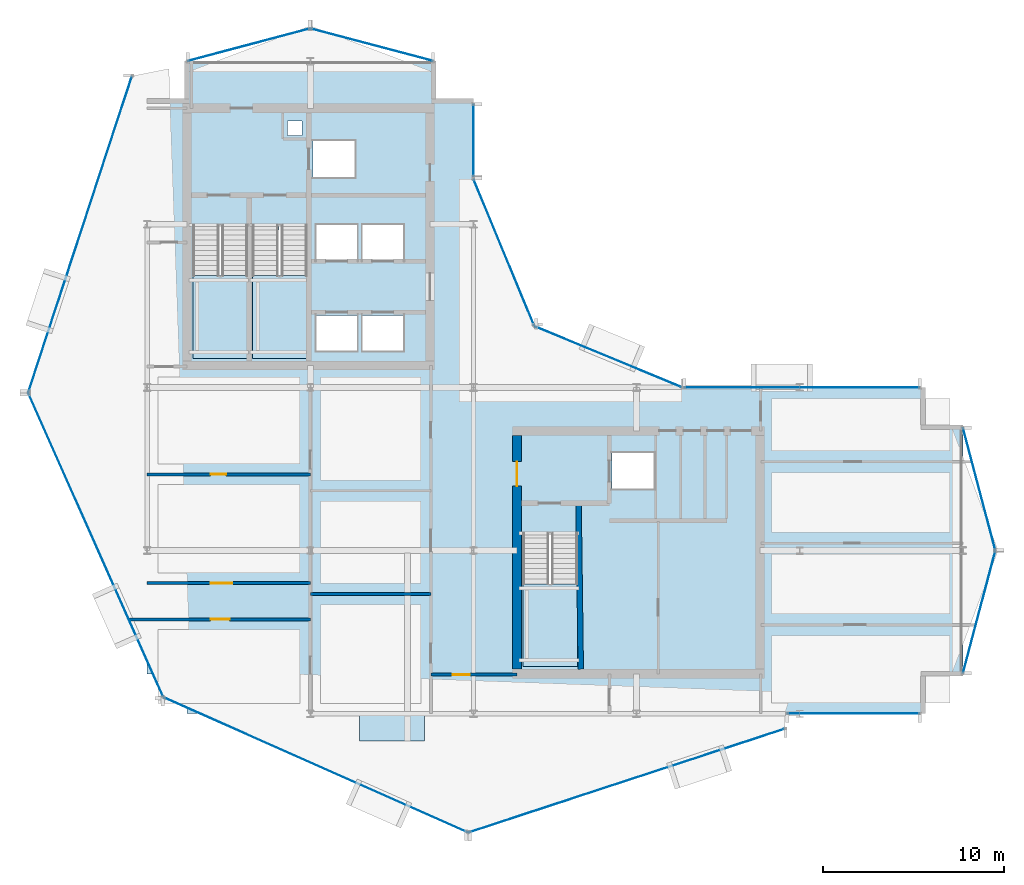
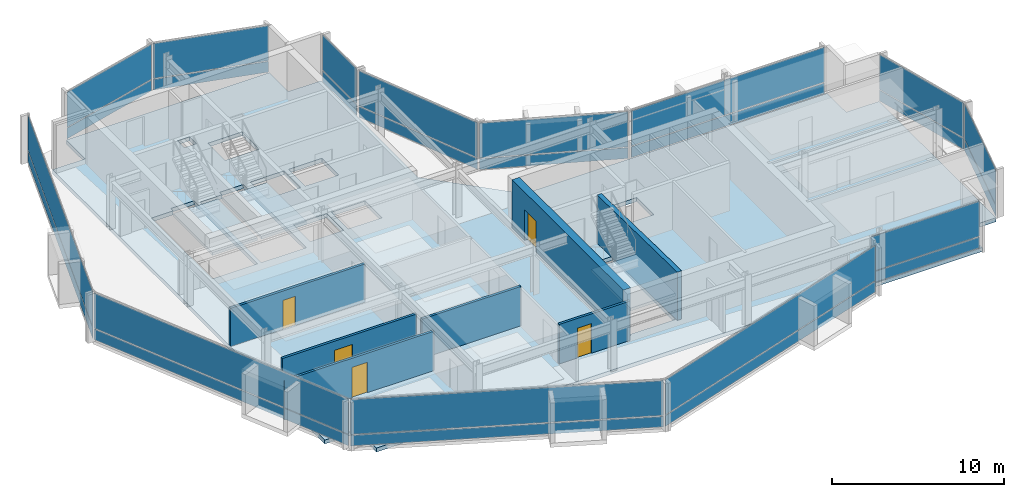
# One storey, part 19 of 28: 26 plates, 7 walls, 5 doors, 5 slabs, 5 openings, 16 elements without a shape of their own.
"""IFC4 building model written with IfcOpenShell, lengths in metres."""

import ifcopenshell
import ifcopenshell.guid

model = None  # the IFC model being written
_history = None  # IfcOwnerHistory: only IFC2X3 demands one
_inside = {}  # id of a spatial element -> (the spatial element, [elements in it])
_under = {}  # id of a project, library or spatial element -> (it, [spatial elements below it])
_declared = {}  # id of a project -> (the project, [libraries it declares])
_typed = {}  # id of a type object -> (the type object, [elements of that type])
_made_of = {}  # id of a material, layer set ... -> (it, [elements and type objects made of it])


def new_model(schema):
    """Start an empty IFC model of exactly this schema.

    Asked for "IFC4X3", IfcOpenShell would pick the latest addendum, in which some entities
    have other attributes; the version numbers below select the first issue.
    IFC2X3 requires an IfcOwnerHistory on every rooted entity: one is made here for all.
    """
    global model, _history
    if schema == "IFC4X3":
        model = ifcopenshell.file(schema_version=(4, 3, 0, 0))
    else:
        model = ifcopenshell.file(schema=schema)
    _inside.clear()
    _under.clear()
    _declared.clear()
    _typed.clear()
    _made_of.clear()
    _history = None
    if model.schema == "IFC2X3":
        org = make("IfcOrganization", Name="unknown")
        user = make(
            "IfcPersonAndOrganization",
            ThePerson=make("IfcPerson", FamilyName="unknown"),
            TheOrganization=org,
        )
        app = make(
            "IfcApplication",
            ApplicationDeveloper=org,
            Version="unknown",
            ApplicationFullName="unknown",
            ApplicationIdentifier="unknown",
        )
        _history = make(
            "IfcOwnerHistory",
            OwningUser=user,
            OwningApplication=app,
            ChangeAction="ADDED",
            CreationDate=0,
        )
    return model


def make(cls, **values):
    """One entity of the class cls with the attributes given. An attribute that is None is left unset."""
    return model.create_entity(
        cls, **{name: value for name, value in values.items() if value is not None}
    )


def rooted(cls, **values):
    """An entity with a GlobalId (a new one), such as an element, a storey or a relation."""
    return make(cls, GlobalId=ifcopenshell.guid.new(), OwnerHistory=_history, **values)


def si_unit(unit_type, name, prefix=None):
    """IfcSIUnit, for example si_unit("LENGTHUNIT", "METRE", prefix="MILLI")."""
    return make("IfcSIUnit", UnitType=unit_type, Prefix=prefix, Name=name)


def assignment(units):
    """IfcUnitAssignment: the units of a project."""
    return None if units is None else make("IfcUnitAssignment", Units=units)


def point(xyz):
    """IfcCartesianPoint."""
    return None if xyz is None else make("IfcCartesianPoint", Coordinates=xyz)


def direction(xyz):
    """IfcDirection."""
    return None if xyz is None else make("IfcDirection", DirectionRatios=xyz)


def frame(location, z_axis=None, x_axis=None):
    """IfcAxis2Placement3D, a coordinate frame: its origin and axes. An axis left out is left unset."""
    return make(
        "IfcAxis2Placement3D",
        Location=point(location),
        Axis=direction(z_axis),
        RefDirection=direction(x_axis),
    )


def frame_2d(location, x_axis=None):
    """IfcAxis2Placement2D, a coordinate frame in the plane: its origin and x axis."""
    return make(
        "IfcAxis2Placement2D", Location=point(location), RefDirection=direction(x_axis)
    )


def origin():
    """The frame at (0, 0, 0) with its axes left unset."""
    return frame((0.0, 0.0, 0.0))


def origin_2d():
    """The frame at (0, 0) in the plane with its x axis left unset."""
    return frame_2d((0.0, 0.0))


def place(relative_to, where):
    """IfcLocalPlacement: puts the frame where relative to a parent placement (None: the world)."""
    return make(
        "IfcLocalPlacement", PlacementRelTo=relative_to, RelativePlacement=where
    )


def context(
    kind, dimensions, precision=None, world=None, true_north=None, identifier=None
):
    """IfcGeometricRepresentationContext, for example the 3D "Model" context."""
    return make(
        "IfcGeometricRepresentationContext",
        ContextIdentifier=identifier,
        ContextType=kind,
        CoordinateSpaceDimension=dimensions,
        Precision=precision,
        WorldCoordinateSystem=world,
        TrueNorth=true_north,
    )


def subcontext(parent, identifier, kind, view, scale=None):
    """IfcGeometricRepresentationSubContext, for example "Body" below "Model"."""
    return make(
        "IfcGeometricRepresentationSubContext",
        ContextIdentifier=identifier,
        ContextType=kind,
        ParentContext=parent,
        TargetScale=scale,
        TargetView=view,
    )


def project(units=None, contexts=None):
    """IfcProject with its units and contexts."""
    return rooted(
        "IfcProject",
        Name="project",
        RepresentationContexts=contexts,
        UnitsInContext=assignment(units),
    )


def spatial(cls, under=None, at=None, **own):
    """A site, building, storey or space (cls), placed at a placement, below another one or the project."""
    s = rooted(cls, ObjectPlacement=at, **own)
    if under is not None:
        _under.setdefault(under.id(), (under, []))[1].append(s)
    return s


def polyline(points):
    """IfcPolyline through the points."""
    return make("IfcPolyline", Points=[point(p) for p in points])


def profile(cls, at=None, kind="AREA", **sizes):
    """A parametric profile (cls). Its sizes go by their IFC names, for example OverallWidth=200.0."""
    return make(cls, ProfileType=kind, Position=at, **sizes)


def rectangle(**sizes):
    """IfcRectangleProfileDef."""
    return profile("IfcRectangleProfileDef", **sizes)


def outline(outer, holes=None, kind="AREA"):
    """IfcArbitraryClosedProfileDef: a profile drawn as a closed curve; with holes, ...WithVoids."""
    if holes is None:
        return make("IfcArbitraryClosedProfileDef", ProfileType=kind, OuterCurve=outer)
    return make(
        "IfcArbitraryProfileDefWithVoids",
        ProfileType=kind,
        OuterCurve=outer,
        InnerCurves=holes,
    )


def extrude(swept, where, along, depth):
    """IfcExtrudedAreaSolid: the profile swept, set in the frame where, extruded along a direction by depth."""
    return make(
        "IfcExtrudedAreaSolid",
        SweptArea=swept,
        Position=where,
        ExtrudedDirection=direction(along),
        Depth=depth,
    )


def shape(context_of_items, identifier, shape_type, items):
    """IfcShapeRepresentation: the items that make up one representation, for example the "Body"."""
    return make(
        "IfcShapeRepresentation",
        ContextOfItems=context_of_items,
        RepresentationIdentifier=identifier,
        RepresentationType=shape_type,
        Items=items,
    )


def material(Name=None, Category=None):
    """IfcMaterial."""
    return make("IfcMaterial", Name=Name, Category=Category)


def layer(
    of_material, thickness, ventilated=None, Name=None, Category=None, Priority=None
):
    """IfcMaterialLayer: one layer of a wall or slab, of a material (None: an air gap)."""
    return make(
        "IfcMaterialLayer",
        Material=of_material,
        LayerThickness=thickness,
        IsVentilated=ventilated,
        Name=Name,
        Category=Category,
        Priority=Priority,
    )


def layer_set(layers, Name=None):
    """IfcMaterialLayerSet."""
    return make("IfcMaterialLayerSet", MaterialLayers=layers, LayerSetName=Name)


def made_of(thing, what):
    """Note that an element or type object is made of a material, layer set ...; save() writes the relation."""
    if what is not None:
        _made_of.setdefault(what.id(), (what, []))[1].append(thing)
    return thing


def type_object(cls, material=None, **own):
    """A type object (cls), such as IfcWallType, which elements share."""
    return made_of(rooted(cls, **own), material)


def element(
    cls,
    number,
    at=None,
    inside=None,
    cuts=None,
    type_object=None,
    material=None,
    context=None,
    identifier="Body",
    shape_type=None,
    held_by="IfcProductDefinitionShape",
    body=None,
    shapes=None,
    **own,
):
    """One element of the class cls, such as IfcWall. Its Tag is "e" and its number.

    at: its placement. inside: the storey or other place that contains it. cuts: it is an
    opening in that element (IfcRelVoidsElement). A single representation is given by context,
    identifier, shape_type and body (its items); several are given by shapes. held_by: the class
    of the entity that holds the representations. save() writes the other relations.
    """
    e = rooted(cls, Tag="e%d" % number, ObjectPlacement=at, **own)
    if body is not None:
        shapes = [shape(context, identifier, shape_type, body)]
    if shapes is not None:
        e.Representation = make(held_by, Representations=shapes)
    if inside is not None:
        _inside.setdefault(inside.id(), (inside, []))[1].append(e)
    if cuts is not None:
        rooted(
            "IfcRelVoidsElement", RelatingBuildingElement=cuts, RelatedOpeningElement=e
        )
    if type_object is not None:
        _typed.setdefault(type_object.id(), (type_object, []))[1].append(e)
    return made_of(e, material)


def fill(opening, filler):
    """IfcRelFillsElement: the door or window that sits in an opening."""
    return rooted(
        "IfcRelFillsElement",
        RelatingOpeningElement=opening,
        RelatedBuildingElement=filler,
    )


def aggregate(whole, parts):
    """IfcRelAggregates: a whole, such as a stair, and the parts it consists of."""
    return rooted("IfcRelAggregates", RelatingObject=whole, RelatedObjects=parts)


def save(model, path):
    """Write the relations noted so far, then the file.

    IfcRelAggregates (storeys below a building ...), IfcRelContainedInSpatialStructure (elements
    in a storey), IfcRelDefinesByType, IfcRelAssociatesMaterial and IfcRelDeclares: one each for
    every whole, place, type object, material and project.
    """
    for whole, parts in _under.values():
        aggregate(whole, parts)
    for where, things in _inside.values():
        rooted(
            "IfcRelContainedInSpatialStructure",
            RelatedElements=things,
            RelatingStructure=where,
        )
    for kind, things in _typed.values():
        rooted("IfcRelDefinesByType", RelatedObjects=things, RelatingType=kind)
    for what, things in _made_of.values():
        rooted("IfcRelAssociatesMaterial", RelatedObjects=things, RelatingMaterial=what)
    for by, libraries in _declared.values():
        rooted("IfcRelDeclares", RelatingContext=by, RelatedDefinitions=libraries)
    model.write(path)


model = new_model("IFC4")

# Units and contexts
model_context = context("Model", 3, precision=1e-05, world=origin(), true_north=direction((0.0, 1.0)))
body_context = subcontext(model_context, "Body", "Model", "MODEL_VIEW")
ifc_project = project(units=[si_unit("LENGTHUNIT", "METRE"), si_unit("AREAUNIT", "SQUARE_METRE"), si_unit("VOLUMEUNIT", "CUBIC_METRE"), si_unit("PLANEANGLEUNIT", "RADIAN"), si_unit("MASSUNIT", "GRAM", prefix="KILO")], contexts=[model_context])

# Site, building, storey
site_placement = place(None, origin())
site = spatial("IfcSite", under=ifc_project, at=site_placement, CompositionType="ELEMENT")
building_placement = place(site_placement, origin())
building = spatial("IfcBuilding", under=site, at=building_placement, Name="Solvaryn Broadcast Tower", CompositionType="ELEMENT")
storey_placement = place(building_placement, frame((0.0, 0.0, 209.89990234375)))
storey = spatial("IfcBuildingStorey", under=building, at=storey_placement, Name="L52", CompositionType="ELEMENT", Elevation=209.89990234375)

# Curtain wall, plates
ifc_material_1 = material(Name="Aluminium and Terracotta Unitised Curtain Wall", Category="masonry")
ifc_layer_1 = layer(ifc_material_1, 0.199951171875)
ifc_layer_set_1 = layer_set([ifc_layer_1], Name="CW-SYS2-LOWMID")
curtain_wall_type_1 = type_object("IfcCurtainWallType", Name="CW-SYS2-LOWMID", PredefinedType="NOTDEFINED", material=ifc_layer_set_1)
curtain_wall_1_placement = place(storey_placement, origin())
curtain_wall_1 = element("IfcCurtainWall", 1, at=curtain_wall_1_placement, inside=storey, type_object=curtain_wall_type_1, Name="L52 Curtain Wall DR1", PredefinedType="NOTDEFINED")
ifc_material_2 = material(Name="Kiln-Fired Architectural Terracotta Spandrel", Category="masonry")
ifc_layer_2 = layer(ifc_material_2, 0.048095703125)
ifc_layer_set_2 = layer_set([ifc_layer_2], Name="CW-PNL-TERRACOTTA")
plate_type = type_object("IfcPlateType", Name="CW-PNL-TERRACOTTA", PredefinedType="CURTAIN_PANEL", material=ifc_layer_set_2)
plate_1_placement = place(storey_placement, frame((5.298095703125, 35.444091796875, 0.06005859375), z_axis=(0.0, 0.0, 1.0), x_axis=(-0.311558717623, -0.950226902099, 0.0)))
plate_1 = element("IfcPlate", 2, at=plate_1_placement, type_object=plate_type, Name="CWS2 panel 1.1", PredefinedType="CURTAIN_PANEL", context=body_context, shape_type="SweptSolid", body=[
    extrude(rectangle(XDim=18.271484375, YDim=0.028076171875, at=origin_2d()), origin(), (0.0, 0.0, 1.0), 0.760009765625),
])
plate_2_placement = place(storey_placement, frame((5.298095703125, 35.444091796875, 0.880126953125), z_axis=(0.0, 0.0, 1.0), x_axis=(-0.311558717623, -0.950226902099, 0.0)))
plate_2 = element("IfcPlate", 3, at=plate_2_placement, type_object=plate_type, Name="CWS2 panel 1.2", PredefinedType="CURTAIN_PANEL", context=body_context, shape_type="SweptSolid", body=[
    extrude(rectangle(XDim=18.271484375, YDim=0.028076171875, at=origin_2d()), origin(), (0.0, 0.0, 1.0), 2.47998046875),
])
aggregate(curtain_wall_1, [plate_1, plate_2])

ifc_material_3 = material(Name="Aluminium and Terracotta Unitised Curtain Wall", Category="masonry")
ifc_layer_3 = layer(ifc_material_3, 0.239990234375)
ifc_layer_set_3 = layer_set([ifc_layer_3], Name="CW-SYS3-BAYBOX")
curtain_wall_type_2 = type_object("IfcCurtainWallType", Name="CW-SYS3-BAYBOX", PredefinedType="NOTDEFINED", material=ifc_layer_set_3)
curtain_wall_2_placement = place(storey_placement, origin())
curtain_wall_2 = element("IfcCurtainWall", 4, at=curtain_wall_2_placement, inside=storey, type_object=curtain_wall_type_2, Name="L52 Curtain Wall DR2", PredefinedType="NOTDEFINED")
plate_3_placement = place(storey_placement, frame((6.16552734375, 18.302001953125, 0.06005859375), z_axis=(0.0, 0.0, 1.0), x_axis=(0.405901337237, -0.913916902365, 0.0)))
plate_3 = element("IfcPlate", 5, at=plate_3_placement, type_object=plate_type, Name="CWS3 panel 1.1", PredefinedType="CURTAIN_PANEL", context=body_context, shape_type="SweptSolid", body=[
    extrude(rectangle(XDim=18.271240234375, YDim=0.028076171875, at=origin_2d()), origin(), (0.0, 0.0, 1.0), 0.760009765625),
])
plate_4_placement = place(storey_placement, frame((6.16552734375, 18.302001953125, 0.880126953125), z_axis=(0.0, 0.0, 1.0), x_axis=(0.405901337237, -0.913916902365, 0.0)))
plate_4 = element("IfcPlate", 6, at=plate_4_placement, type_object=plate_type, Name="CWS3 panel 1.2", PredefinedType="CURTAIN_PANEL", context=body_context, shape_type="SweptSolid", body=[
    extrude(rectangle(XDim=18.271240234375, YDim=0.028076171875, at=origin_2d()), origin(), (0.0, 0.0, 1.0), 2.47998046875),
])
aggregate(curtain_wall_2, [plate_3, plate_4])

curtain_wall_3_placement = place(storey_placement, origin())
curtain_wall_3 = element("IfcCurtainWall", 7, at=curtain_wall_3_placement, inside=storey, type_object=curtain_wall_type_1, Name="L52 Curtain Wall DR3", PredefinedType="NOTDEFINED")
plate_5_placement = place(storey_placement, frame((18.302001953125, 6.16552734375, 0.06005859375), z_axis=(0.0, 0.0, 1.0), x_axis=(0.913916902365, -0.405901337237, 0.0)))
plate_5 = element("IfcPlate", 8, at=plate_5_placement, type_object=plate_type, Name="CWS2 panel 1.1", PredefinedType="CURTAIN_PANEL", context=body_context, shape_type="SweptSolid", body=[
    extrude(rectangle(XDim=18.271240234375, YDim=0.028076171875, at=origin_2d()), origin(), (0.0, 0.0, 1.0), 0.760009765625),
])
plate_6_placement = place(storey_placement, frame((18.302001953125, 6.16552734375, 0.880126953125), z_axis=(0.0, 0.0, 1.0), x_axis=(0.913916902365, -0.405901337237, 0.0)))
plate_6 = element("IfcPlate", 9, at=plate_6_placement, type_object=plate_type, Name="CWS2 panel 1.2", PredefinedType="CURTAIN_PANEL", context=body_context, shape_type="SweptSolid", body=[
    extrude(rectangle(XDim=18.271240234375, YDim=0.028076171875, at=origin_2d()), origin(), (0.0, 0.0, 1.0), 2.47998046875),
])
aggregate(curtain_wall_3, [plate_5, plate_6])

curtain_wall_4_placement = place(storey_placement, origin())
curtain_wall_4 = element("IfcCurtainWall", 10, at=curtain_wall_4_placement, inside=storey, type_object=curtain_wall_type_1, Name="L52 Curtain Wall DR4", PredefinedType="NOTDEFINED")
plate_7_placement = place(storey_placement, frame((35.444091796875, 5.298095703125, 0.06005859375), z_axis=(0.0, 0.0, 1.0), x_axis=(0.950226902099, 0.311558717623, 0.0)))
plate_7 = element("IfcPlate", 11, at=plate_7_placement, type_object=plate_type, Name="CWS2 panel 1.1", PredefinedType="CURTAIN_PANEL", context=body_context, shape_type="SweptSolid", body=[
    extrude(rectangle(XDim=18.271484375, YDim=0.028076171875, at=origin_2d()), origin(), (0.0, 0.0, 1.0), 0.760009765625),
])
plate_8_placement = place(storey_placement, frame((35.444091796875, 5.298095703125, 0.880126953125), z_axis=(0.0, 0.0, 1.0), x_axis=(0.950226902099, 0.311558717623, 0.0)))
plate_8 = element("IfcPlate", 12, at=plate_8_placement, type_object=plate_type, Name="CWS2 panel 1.2", PredefinedType="CURTAIN_PANEL", context=body_context, shape_type="SweptSolid", body=[
    extrude(rectangle(XDim=18.271484375, YDim=0.028076171875, at=origin_2d()), origin(), (0.0, 0.0, 1.0), 2.47998046875),
])
aggregate(curtain_wall_4, [plate_7, plate_8])

curtain_wall_5_placement = place(storey_placement, origin())
curtain_wall_5 = element("IfcCurtainWall", 13, at=curtain_wall_5_placement, inside=storey, type_object=curtain_wall_type_1, Name="L52 Curtain Wall IV", PredefinedType="NOTDEFINED")
plate_9_placement = place(storey_placement, frame((27.0, 40.625, 0.06005859375), z_axis=(0.0, 0.0, 1.0), x_axis=(0.0, -1.0, 0.0)))
plate_9 = element("IfcPlate", 14, at=plate_9_placement, type_object=plate_type, Name="CWS2 panel 1.1", PredefinedType="CURTAIN_PANEL", context=body_context, shape_type="SweptSolid", body=[
    extrude(rectangle(XDim=3.929931640625, YDim=0.028076171875, at=origin_2d()), origin(), (0.0, 0.0, 1.0), 0.760009765625),
])
plate_10_placement = place(storey_placement, frame((27.0, 40.625, 0.880126953125), z_axis=(0.0, 0.0, 1.0), x_axis=(0.0, -1.0, 0.0)))
plate_10 = element("IfcPlate", 15, at=plate_10_placement, type_object=plate_type, Name="CWS2 panel 1.2", PredefinedType="CURTAIN_PANEL", context=body_context, shape_type="SweptSolid", body=[
    extrude(rectangle(XDim=3.929931640625, YDim=0.028076171875, at=origin_2d()), origin(), (0.0, 0.0, 1.0), 2.47998046875),
])
aggregate(curtain_wall_5, [plate_9, plate_10])

curtain_wall_6_placement = place(storey_placement, origin())
curtain_wall_6 = element("IfcCurtainWall", 16, at=curtain_wall_6_placement, inside=storey, type_object=curtain_wall_type_1, Name="L52 Curtain Wall CN1", PredefinedType="NOTDEFINED")
plate_11_placement = place(storey_placement, frame((34.43408203125, 28.68408203125, 0.06005859375), z_axis=(0.0, 0.0, 1.0), x_axis=(-0.923894983957, 0.382646127145, 0.0)))
plate_11 = element("IfcPlate", 17, at=plate_11_placement, type_object=plate_type, Name="CWS2 panel 1.1", PredefinedType="CURTAIN_PANEL", context=body_context, shape_type="SweptSolid", body=[
    extrude(rectangle(XDim=8.681884765625, YDim=0.028076171875, at=origin_2d()), origin(), (0.0, 0.0, 1.0), 0.760009765625),
])
plate_12_placement = place(storey_placement, frame((34.43408203125, 28.68408203125, 0.880126953125), z_axis=(0.0, 0.0, 1.0), x_axis=(-0.923894983957, 0.382646127145, 0.0)))
plate_12 = element("IfcPlate", 18, at=plate_12_placement, type_object=plate_type, Name="CWS2 panel 1.2", PredefinedType="CURTAIN_PANEL", context=body_context, shape_type="SweptSolid", body=[
    extrude(rectangle(XDim=8.681884765625, YDim=0.028076171875, at=origin_2d()), origin(), (0.0, 0.0, 1.0), 2.47998046875),
])
aggregate(curtain_wall_6, [plate_11, plate_12])

curtain_wall_7_placement = place(storey_placement, origin())
curtain_wall_7 = element("IfcCurtainWall", 19, at=curtain_wall_7_placement, inside=storey, type_object=curtain_wall_type_1, Name="L52 Curtain Wall CN2", PredefinedType="NOTDEFINED")
plate_13_placement = place(storey_placement, frame((28.68408203125, 34.43408203125, 0.06005859375), z_axis=(0.0, 0.0, 1.0), x_axis=(-0.382646127145, 0.923894983957, 0.0)))
plate_13 = element("IfcPlate", 20, at=plate_13_placement, type_object=plate_type, Name="CWS2 panel 1.1", PredefinedType="CURTAIN_PANEL", context=body_context, shape_type="SweptSolid", body=[
    extrude(rectangle(XDim=8.681884765625, YDim=0.028076171875, at=origin_2d()), origin(), (0.0, 0.0, 1.0), 0.760009765625),
])
plate_14_placement = place(storey_placement, frame((28.68408203125, 34.43408203125, 0.880126953125), z_axis=(0.0, 0.0, 1.0), x_axis=(-0.382646127145, 0.923894983957, 0.0)))
plate_14 = element("IfcPlate", 21, at=plate_14_placement, type_object=plate_type, Name="CWS2 panel 1.2", PredefinedType="CURTAIN_PANEL", context=body_context, shape_type="SweptSolid", body=[
    extrude(rectangle(XDim=8.681884765625, YDim=0.028076171875, at=origin_2d()), origin(), (0.0, 0.0, 1.0), 2.47998046875),
])
aggregate(curtain_wall_7, [plate_13, plate_14])

curtain_wall_8_placement = place(storey_placement, origin())
curtain_wall_8 = element("IfcCurtainWall", 22, at=curtain_wall_8_placement, inside=storey, type_object=curtain_wall_type_1, Name="L52 Curtain Wall S2", PredefinedType="NOTDEFINED")
plate_15_placement = place(storey_placement, frame((47.966064453125, 9.0, 0.06005859375), z_axis=(0.0, 0.0, 1.0), x_axis=(1.0, 0.0, 0.0)))
plate_15 = element("IfcPlate", 23, at=plate_15_placement, type_object=plate_type, Name="CWS2 panel 1.1", PredefinedType="CURTAIN_PANEL", context=body_context, shape_type="SweptSolid", body=[
    extrude(rectangle(XDim=7.248046875, YDim=0.028076171875, at=origin_2d()), origin(), (0.0, 0.0, 1.0), 0.760009765625),
])
plate_16_placement = place(storey_placement, frame((47.966064453125, 9.0, 0.880126953125), z_axis=(0.0, 0.0, 1.0), x_axis=(1.0, 0.0, 0.0)))
plate_16 = element("IfcPlate", 24, at=plate_16_placement, type_object=plate_type, Name="CWS2 panel 1.2", PredefinedType="CURTAIN_PANEL", context=body_context, shape_type="SweptSolid", body=[
    extrude(rectangle(XDim=7.248046875, YDim=0.028076171875, at=origin_2d()), origin(), (0.0, 0.0, 1.0), 2.47998046875),
])
aggregate(curtain_wall_8, [plate_15, plate_16])

curtain_wall_9_placement = place(storey_placement, origin())
curtain_wall_9 = element("IfcCurtainWall", 25, at=curtain_wall_9_placement, inside=storey, type_object=curtain_wall_type_1, Name="L52 Curtain Wall NT1", PredefinedType="NOTDEFINED")
plate_17_placement = place(storey_placement, frame((21.39990234375, 45.89990234375, 0.06005859375), z_axis=(0.0, 0.0, 1.0), x_axis=(-0.966705227863, 0.25589256031, 0.0)))
plate_17 = element("IfcPlate", 26, at=plate_17_placement, type_object=plate_type, Name="CWS2 panel 1.1", PredefinedType="CURTAIN_PANEL", context=body_context, shape_type="SweptSolid", body=[
    extrude(rectangle(XDim=6.914306640625, YDim=0.028076171875, at=origin_2d()), origin(), (0.0, 0.0, 1.0), 0.760009765625),
])
plate_18_placement = place(storey_placement, frame((21.39990234375, 45.89990234375, 0.880126953125), z_axis=(0.0, 0.0, 1.0), x_axis=(-0.966705227863, 0.25589256031, 0.0)))
plate_18 = element("IfcPlate", 27, at=plate_18_placement, type_object=plate_type, Name="CWS2 panel 1.2", PredefinedType="CURTAIN_PANEL", context=body_context, shape_type="SweptSolid", body=[
    extrude(rectangle(XDim=6.914306640625, YDim=0.028076171875, at=origin_2d()), origin(), (0.0, 0.0, 1.0), 2.47998046875),
])
aggregate(curtain_wall_9, [plate_17, plate_18])

curtain_wall_10_placement = place(storey_placement, origin())
curtain_wall_10 = element("IfcCurtainWall", 28, at=curtain_wall_10_placement, inside=storey, type_object=curtain_wall_type_1, Name="L52 Curtain Wall NT2", PredefinedType="NOTDEFINED")
plate_19_placement = place(storey_placement, frame((14.60009765625, 45.89990234375, 0.06005859375), z_axis=(0.0, 0.0, 1.0), x_axis=(-0.966705227863, -0.25589256031, 0.0)))
plate_19 = element("IfcPlate", 29, at=plate_19_placement, type_object=plate_type, Name="CWS2 panel 1.1", PredefinedType="CURTAIN_PANEL", context=body_context, shape_type="SweptSolid", body=[
    extrude(rectangle(XDim=6.914306640625, YDim=0.028076171875, at=origin_2d()), origin(), (0.0, 0.0, 1.0), 0.760009765625),
])
plate_20_placement = place(storey_placement, frame((14.60009765625, 45.89990234375, 0.880126953125), z_axis=(0.0, 0.0, 1.0), x_axis=(-0.966705227863, -0.25589256031, 0.0)))
plate_20 = element("IfcPlate", 30, at=plate_20_placement, type_object=plate_type, Name="CWS2 panel 1.2", PredefinedType="CURTAIN_PANEL", context=body_context, shape_type="SweptSolid", body=[
    extrude(rectangle(XDim=6.914306640625, YDim=0.028076171875, at=origin_2d()), origin(), (0.0, 0.0, 1.0), 2.47998046875),
])
aggregate(curtain_wall_10, [plate_19, plate_20])

curtain_wall_11_placement = place(storey_placement, origin())
curtain_wall_11 = element("IfcCurtainWall", 31, at=curtain_wall_11_placement, inside=storey, type_object=curtain_wall_type_1, Name="L52 Curtain Wall ET1", PredefinedType="NOTDEFINED")
plate_21_placement = place(storey_placement, frame((54.89990234375, 21.39990234375, 0.06005859375), z_axis=(0.0, 0.0, 1.0), x_axis=(0.25589256031, -0.966705227863, 0.0)))
plate_21 = element("IfcPlate", 32, at=plate_21_placement, type_object=plate_type, Name="CWS2 panel 1.1", PredefinedType="CURTAIN_PANEL", context=body_context, shape_type="SweptSolid", body=[
    extrude(rectangle(XDim=6.914306640625, YDim=0.028076171875, at=origin_2d()), origin(), (0.0, 0.0, 1.0), 0.760009765625),
])
plate_22_placement = place(storey_placement, frame((54.89990234375, 21.39990234375, 0.880126953125), z_axis=(0.0, 0.0, 1.0), x_axis=(0.25589256031, -0.966705227863, 0.0)))
plate_22 = element("IfcPlate", 33, at=plate_22_placement, type_object=plate_type, Name="CWS2 panel 1.2", PredefinedType="CURTAIN_PANEL", context=body_context, shape_type="SweptSolid", body=[
    extrude(rectangle(XDim=6.914306640625, YDim=0.028076171875, at=origin_2d()), origin(), (0.0, 0.0, 1.0), 2.47998046875),
])
aggregate(curtain_wall_11, [plate_21, plate_22])

curtain_wall_12_placement = place(storey_placement, origin())
curtain_wall_12 = element("IfcCurtainWall", 34, at=curtain_wall_12_placement, inside=storey, type_object=curtain_wall_type_1, Name="L52 Curtain Wall ET2", PredefinedType="NOTDEFINED")
plate_23_placement = place(storey_placement, frame((54.89990234375, 14.60009765625, 0.06005859375), z_axis=(0.0, 0.0, 1.0), x_axis=(-0.25589256031, -0.966705227863, 0.0)))
plate_23 = element("IfcPlate", 35, at=plate_23_placement, type_object=plate_type, Name="CWS2 panel 1.1", PredefinedType="CURTAIN_PANEL", context=body_context, shape_type="SweptSolid", body=[
    extrude(rectangle(XDim=6.914306640625, YDim=0.028076171875, at=origin_2d()), origin(), (0.0, 0.0, 1.0), 0.760009765625),
])
plate_24_placement = place(storey_placement, frame((54.89990234375, 14.60009765625, 0.880126953125), z_axis=(0.0, 0.0, 1.0), x_axis=(-0.25589256031, -0.966705227863, 0.0)))
plate_24 = element("IfcPlate", 36, at=plate_24_placement, type_object=plate_type, Name="CWS2 panel 1.2", PredefinedType="CURTAIN_PANEL", context=body_context, shape_type="SweptSolid", body=[
    extrude(rectangle(XDim=6.914306640625, YDim=0.028076171875, at=origin_2d()), origin(), (0.0, 0.0, 1.0), 2.47998046875),
])
aggregate(curtain_wall_12, [plate_23, plate_24])

curtain_wall_13_placement = place(storey_placement, origin())
curtain_wall_13 = element("IfcCurtainWall", 37, at=curtain_wall_13_placement, inside=storey, type_object=curtain_wall_type_1, Name="L52 Curtain Wall IH", PredefinedType="NOTDEFINED")
plate_25_placement = place(storey_placement, frame((45.125, 27.0, 0.06005859375), z_axis=(0.0, 0.0, 1.0), x_axis=(1.0, 0.0, 0.0)))
plate_25 = element("IfcPlate", 38, at=plate_25_placement, type_object=plate_type, Name="CWS2 panel 1.1", PredefinedType="CURTAIN_PANEL", context=body_context, shape_type="SweptSolid", body=[
    extrude(rectangle(XDim=12.929931640625, YDim=0.028076171875, at=origin_2d()), origin(), (0.0, 0.0, 1.0), 0.760009765625),
])
plate_26_placement = place(storey_placement, frame((45.125, 27.0, 0.880126953125), z_axis=(0.0, 0.0, 1.0), x_axis=(1.0, 0.0, 0.0)))
plate_26 = element("IfcPlate", 39, at=plate_26_placement, type_object=plate_type, Name="CWS2 panel 1.2", PredefinedType="CURTAIN_PANEL", context=body_context, shape_type="SweptSolid", body=[
    extrude(rectangle(XDim=12.929931640625, YDim=0.028076171875, at=origin_2d()), origin(), (0.0, 0.0, 1.0), 2.47998046875),
])
aggregate(curtain_wall_13, [plate_25, plate_26])

# Slab
ifc_material_4 = material(Name="Concrete f'c 60 MPa", Category="concrete")
ifc_layer_4 = layer(ifc_material_4, 0.2099609375)
ifc_layer_set_4 = layer_set([ifc_layer_4], Name="SL-BAYBOX-210")
slab_type_1 = type_object("IfcSlabType", Name="SL-BAYBOX-210", PredefinedType="FLOOR", material=ifc_layer_set_4)
slab_1_placement = place(storey_placement, frame((0.0, 0.0, -0.2099609375)))
element("IfcSlab", 40, at=slab_1_placement, inside=storey, type_object=slab_type_1, Name="L52 Projecting Bay-Box Slab 1", PredefinedType="FLOOR", context=body_context, shape_type="SweptSolid", body=[
    extrude(outline(polyline([(20.699951171875, 7.5), (24.300048828125, 7.5), (24.300048828125, 9.0), (20.699951171875, 9.0), (20.699951171875, 7.5)])), origin(), (0.0, 0.0, 1.0), 0.2099609375),
])

# Stair, slab
ifc_material_5 = material(Name="Concrete f'c 60 MPa", Category="concrete")
stair_type = type_object("IfcStairType", Name="ST-CORE", PredefinedType="HALF_TURN_STAIR", material=ifc_material_5)
stair_1_placement = place(storey_placement, origin())
stair_1 = element("IfcStair", 41, at=stair_1_placement, inside=storey, type_object=stair_type, Name="L52 ST1", PredefinedType="HALF_TURN_STAIR")
ifc_material_6 = material(Name="Concrete f'c 60 MPa", Category="concrete")
ifc_layer_5 = layer(ifc_material_6, 0.199951171875)
ifc_layer_set_5 = layer_set([ifc_layer_5], Name="SL-LANDING-200")
slab_type_2 = type_object("IfcSlabType", Name="SL-LANDING-200", PredefinedType="LANDING", material=ifc_layer_set_5)
slab_2_placement = place(storey_placement, frame((0.0, 0.0, 1.650146484375)))
slab_2 = element("IfcSlab", 42, at=slab_2_placement, type_object=slab_type_2, Name="ST1 landing 1", PredefinedType="LANDING", context=body_context, shape_type="SweptSolid", body=[
    extrude(outline(polyline([(11.52001953125, 33.159912109375), (11.52001953125, 28.60009765625), (14.550048828125, 28.60009765625), (14.550048828125, 33.159912109375), (11.52001953125, 33.159912109375)])), origin(), (0.0, 0.0, 1.0), 0.199951171875),
])
aggregate(stair_1, [slab_2])

stair_2_placement = place(storey_placement, origin())
stair_2 = element("IfcStair", 43, at=stair_2_placement, inside=storey, type_object=stair_type, Name="L52 ST2", PredefinedType="HALF_TURN_STAIR")
slab_3_placement = place(storey_placement, frame((0.0, 0.0, 1.650146484375)))
slab_3 = element("IfcSlab", 44, at=slab_3_placement, type_object=slab_type_2, Name="ST2 landing 1", PredefinedType="LANDING", context=body_context, shape_type="SweptSolid", body=[
    extrude(outline(polyline([(14.800048828125, 33.159912109375), (14.800048828125, 28.60009765625), (17.830078125, 28.60009765625), (17.830078125, 33.159912109375), (14.800048828125, 33.159912109375)])), origin(), (0.0, 0.0, 1.0), 0.199951171875),
])
aggregate(stair_2, [slab_3])

stair_3_placement = place(storey_placement, origin())
stair_3 = element("IfcStair", 45, at=stair_3_placement, inside=storey, type_object=stair_type, Name="L52 ST3", PredefinedType="HALF_TURN_STAIR")
slab_4_placement = place(storey_placement, frame((0.0, 0.0, 1.650146484375)))
slab_4 = element("IfcSlab", 46, at=slab_4_placement, type_object=slab_type_2, Name="ST3 landing 1", PredefinedType="LANDING", context=body_context, shape_type="SweptSolid", body=[
    extrude(outline(polyline([(29.719970703125, 16.159912109375), (29.719970703125, 11.60009765625), (32.75, 11.60009765625), (32.75, 16.159912109375), (29.719970703125, 16.159912109375)])), origin(), (0.0, 0.0, 1.0), 0.199951171875),
])
aggregate(stair_3, [slab_4])

# Slab
ifc_material_7 = material(Name="Concrete f'c 60 MPa", Category="concrete")
ifc_layer_6 = layer(ifc_material_7, 0.280029296875)
ifc_layer_set_6 = layer_set([ifc_layer_6], Name="SL-TWR-280")
slab_type_3 = type_object("IfcSlabType", Name="SL-TWR-280", PredefinedType="FLOOR", material=ifc_layer_set_6)
slab_5_placement = place(storey_placement, frame((0.0, 0.0, -0.27978515625)))
element("IfcSlab", 47, at=slab_5_placement, inside=storey, type_object=slab_type_3, Name="L52 Structural Floor Slab", PredefinedType="FLOOR", context=body_context, shape_type="SweptSolid", body=[
    extrude(outline(polyline([(11.199951171875, 9.0), (51.800048828125, 9.0), (51.800048828125, 11.199951171875), (54.0, 11.199951171875), (54.0, 24.800048828125), (51.800048828125, 24.800048828125), (51.800048828125, 27.0), (31.5, 27.0), (27.0, 31.5), (27.0, 42.800048828125), (24.800048828125, 42.800048828125), (24.800048828125, 45.0), (11.199951171875, 45.0), (11.199951171875, 42.800048828125), (9.0, 42.800048828125), (9.0, 11.199951171875), (11.199951171875, 11.199951171875), (11.199951171875, 9.0)]), holes=[polyline([(11.52001953125, 28.60009765625), (14.550048828125, 28.60009765625), (14.550048828125, 35.9599609375), (12.97998046875, 35.9599609375), (12.97998046875, 35.679931640625), (11.52001953125, 35.679931640625), (11.52001953125, 28.60009765625)]), polyline([(14.800048828125, 28.60009765625), (17.830078125, 28.60009765625), (17.830078125, 35.9599609375), (16.260009765625, 35.9599609375), (16.260009765625, 35.679931640625), (14.800048828125, 35.679931640625), (14.800048828125, 28.60009765625)]), polyline([(29.719970703125, 11.60009765625), (32.75, 11.60009765625), (32.75, 18.9599609375), (31.179931640625, 18.9599609375), (31.179931640625, 18.679931640625), (29.719970703125, 18.679931640625), (29.719970703125, 11.60009765625)]), polyline([(18.14990234375, 38.60009765625), (20.449951171875, 38.60009765625), (20.449951171875, 40.60009765625), (18.14990234375, 40.60009765625), (18.14990234375, 38.60009765625)]), polyline([(18.324951171875, 29.02490234375), (20.574951171875, 29.02490234375), (20.574951171875, 30.97509765625), (18.324951171875, 30.97509765625), (18.324951171875, 29.02490234375)]), polyline([(20.875, 29.02490234375), (23.125, 29.02490234375), (23.125, 30.97509765625), (20.875, 30.97509765625), (20.875, 29.02490234375)]), polyline([(18.324951171875, 34.02490234375), (20.574951171875, 34.02490234375), (20.574951171875, 35.97509765625), (18.324951171875, 35.97509765625), (18.324951171875, 34.02490234375)]), polyline([(20.875, 34.02490234375), (23.125, 34.02490234375), (23.125, 35.97509765625), (20.875, 35.97509765625), (20.875, 34.02490234375)]), polyline([(34.64990234375, 21.39990234375), (36.949951171875, 21.39990234375), (36.949951171875, 23.39990234375), (34.64990234375, 23.39990234375), (34.64990234375, 21.39990234375)]), polyline([(16.75, 40.89990234375), (17.550048828125, 40.89990234375), (17.550048828125, 41.699951171875), (16.75, 41.699951171875), (16.75, 40.89990234375)])]), origin(), (0.0, 0.0, 1.0), 0.27978515625),
])

# Wall, opening, door
ifc_material_8 = material(Name="Concrete f'c 70 MPa", Category="concrete")
ifc_layer_7 = layer(ifc_material_8, 0.5)
ifc_layer_set_7 = layer_set([ifc_layer_7], Name="CW-SHEAR-500")
wall_type_1 = type_object("IfcWallType", Name="CW-SHEAR-500", PredefinedType="SHEAR", material=ifc_layer_set_7)
wall_1_placement = place(storey_placement, frame((29.39990234375, 24.35009765625, 0.0), z_axis=(0.0, 0.0, 1.0), x_axis=(0.0, -1.0, 0.0)))
wall_1 = element("IfcWall", 48, at=wall_1_placement, inside=storey, type_object=wall_type_1, Name="L52 East Core West Shear Wall", PredefinedType="SHEAR", context=body_context, shape_type="SweptSolid", body=[
    extrude(rectangle(XDim=12.900146484375, YDim=0.5, at=frame_2d((6.4501953125, 0.0))), origin(), (0.0, 0.0, 1.0), 3.420166015625),
])
opening_1_placement = place(wall_1_placement, frame((1.449951171875, 0.0, 0.0)))
opening_1 = element("IfcOpeningElement", 49, at=opening_1_placement, cuts=wall_1, Name="Opening FD90B", PredefinedType="OPENING", context=body_context, shape_type="SweptSolid", body=[
    extrude(rectangle(XDim=1.35009765625, YDim=2.14990234375, at=frame_2d((0.675048828125, 1.074951171875))), frame((0.0, 0.260009765625, 0.0), z_axis=(0.0, -1.0, 0.0), x_axis=(1.0, 0.0, 0.0)), (0.0, 0.0, 1.0), 0.52001953125),
])
ifc_material_9 = material(Name="Flush Acoustic Steel and Timber Door Assembly", Category="steel")
door_type_1 = type_object("IfcDoorType", Name="FD90-LOBBY-1350X2150", OperationType="NOTDEFINED", PredefinedType="DOOR", material=ifc_material_9)
door_1_placement = place(opening_1_placement, origin())
door_1 = element("IfcDoor", 50, at=door_1_placement, inside=storey, type_object=door_type_1, Name="L52 East FSAE Lobby Door", OperationType="SINGLE_SWING_RIGHT", OverallHeight=2.14990234375, OverallWidth=1.35009765625, PredefinedType="DOOR", context=body_context, shape_type="SweptSolid", body=[
    extrude(rectangle(XDim=1.35009765625, YDim=2.14990234375, at=frame_2d((0.675048828125, 1.074951171875))), frame((0.0, 0.02490234375, 0.0), z_axis=(0.0, -1.0, 0.0), x_axis=(1.0, 0.0, 0.0)), (0.0, 0.0, 1.0), 0.050048828125),
])
fill(opening_1, door_1)

# Wall
ifc_material_10 = material(Name="Metal-Stud Gypsum Office Partition")
ifc_layer_8 = layer(ifc_material_10, 0.159912109375)
ifc_layer_set_8 = layer_set([ifc_layer_8], Name="IW-PART-160")
wall_type_2 = type_object("IfcWallType", Name="IW-PART-160", PredefinedType="PARTITIONING", material=ifc_layer_set_8)
wall_2_placement = place(storey_placement, frame((18.0, 15.60009765625, 0.0), z_axis=(0.0, 0.0, 1.0), x_axis=(1.0, 0.0, 0.0)))
element("IfcWall", 51, at=wall_2_placement, inside=storey, type_object=wall_type_2, Name="L52 Interior Partition IW-L52-SWE-H1", PredefinedType="PARTITIONING", context=body_context, shape_type="SweptSolid", body=[
    extrude(rectangle(XDim=6.64990234375, YDim=0.159912109375, at=frame_2d((3.324951171875, 0.0))), origin(), (0.0, 0.0, 1.0), 2.7919921875),
])

# Wall, opening, door
wall_3_placement = place(storey_placement, frame((7.987060546875, 14.199951171875, 0.0), z_axis=(0.0, 0.0, 1.0), x_axis=(1.0, 0.0, 0.0)))
wall_3 = element("IfcWall", 52, at=wall_3_placement, inside=storey, type_object=wall_type_2, Name="L52 Interior Partition IW-L52-SWW-H1", PredefinedType="PARTITIONING", context=body_context, shape_type="SweptSolid", body=[
    extrude(rectangle(XDim=10.012939453125, YDim=0.159912109375, at=frame_2d((5.00634765625, 0.0))), origin(), (0.0, 0.0, 1.0), 2.7919921875),
])
opening_2_placement = place(wall_3_placement, frame((4.512939453125, 0.0, 0.0)))
opening_2 = element("IfcOpeningElement", 53, at=opening_2_placement, cuts=wall_3, Name="Opening ID03", PredefinedType="OPENING", context=body_context, shape_type="SweptSolid", body=[
    extrude(rectangle(XDim=1.050048828125, YDim=2.14990234375, at=frame_2d((0.52490234375, 1.074951171875))), frame((0.0, 0.090087890625, 0.0), z_axis=(0.0, -1.0, 0.0), x_axis=(1.0, 0.0, 0.0)), (0.0, 0.0, 1.0), 0.179931640625),
])
ifc_material_11 = material(Name="Flush Acoustic Steel and Timber Door Assembly", Category="steel")
door_type_2 = type_object("IfcDoorType", Name="ID-03-1050X2150", OperationType="NOTDEFINED", PredefinedType="DOOR", material=ifc_material_11)
door_2_placement = place(opening_2_placement, origin())
door_2 = element("IfcDoor", 54, at=door_2_placement, inside=storey, type_object=door_type_2, Name="L52 Door DR-L52-SWW-1", OperationType="SINGLE_SWING_LEFT", OverallHeight=2.14990234375, OverallWidth=1.050048828125, PredefinedType="DOOR", context=body_context, shape_type="SweptSolid", body=[
    extrude(rectangle(XDim=1.050048828125, YDim=2.14990234375, at=frame_2d((0.52490234375, 1.074951171875))), frame((0.0, 0.02490234375, 0.0), z_axis=(0.0, -1.0, 0.0), x_axis=(1.0, 0.0, 0.0)), (0.0, 0.0, 1.0), 0.050048828125),
])
fill(opening_2, door_2)

wall_4_placement = place(storey_placement, frame((9.0, 16.199951171875, 0.0), z_axis=(0.0, 0.0, 1.0), x_axis=(1.0, 0.0, 0.0)))
wall_4 = element("IfcWall", 55, at=wall_4_placement, inside=storey, type_object=wall_type_2, Name="L52 Interior Partition IW-L52-SWW-H2", PredefinedType="PARTITIONING", context=body_context, shape_type="SweptSolid", body=[
    extrude(rectangle(XDim=9.0, YDim=0.159912109375, at=frame_2d((4.5, 0.0))), origin(), (0.0, 0.0, 1.0), 2.7919921875),
])
opening_3_placement = place(wall_4_placement, frame((3.5, 0.0, 0.0)))
opening_3 = element("IfcOpeningElement", 56, at=opening_3_placement, cuts=wall_4, Name="Opening ID04", PredefinedType="OPENING", context=body_context, shape_type="SweptSolid", body=[
    extrude(rectangle(XDim=1.199951171875, YDim=2.14990234375, at=frame_2d((0.60009765625, 1.074951171875))), frame((0.0, 0.090087890625, 0.0), z_axis=(0.0, -1.0, 0.0), x_axis=(1.0, 0.0, 0.0)), (0.0, 0.0, 1.0), 0.179931640625),
])
ifc_material_12 = material(Name="Flush Acoustic Steel and Timber Door Assembly", Category="steel")
door_type_3 = type_object("IfcDoorType", Name="ID-04-1200X2150", OperationType="NOTDEFINED", PredefinedType="DOOR", material=ifc_material_12)
door_3_placement = place(opening_3_placement, origin())
door_3 = element("IfcDoor", 57, at=door_3_placement, inside=storey, type_object=door_type_3, Name="L52 Door DR-L52-SWW-2", OperationType="SINGLE_SWING_RIGHT", OverallHeight=2.14990234375, OverallWidth=1.199951171875, PredefinedType="DOOR", context=body_context, shape_type="SweptSolid", body=[
    extrude(rectangle(XDim=1.199951171875, YDim=2.14990234375, at=frame_2d((0.60009765625, 1.074951171875))), frame((0.0, 0.02490234375, 0.0), z_axis=(0.0, -1.0, 0.0), x_axis=(1.0, 0.0, 0.0)), (0.0, 0.0, 1.0), 0.050048828125),
])
fill(opening_3, door_3)

wall_5_placement = place(storey_placement, frame((9.0, 22.199951171875, 0.0), z_axis=(0.0, 0.0, 1.0), x_axis=(1.0, 0.0, 0.0)))
wall_5 = element("IfcWall", 58, at=wall_5_placement, inside=storey, type_object=wall_type_2, Name="L52 Interior Partition IW-L52-SWW-H3", PredefinedType="PARTITIONING", context=body_context, shape_type="SweptSolid", body=[
    extrude(rectangle(XDim=9.0, YDim=0.159912109375, at=frame_2d((4.5, 0.0))), origin(), (0.0, 0.0, 1.0), 2.70703125),
])
opening_4_placement = place(wall_5_placement, frame((3.5, 0.0, 0.0)))
opening_4 = element("IfcOpeningElement", 59, at=opening_4_placement, cuts=wall_5, Name="Opening ID07", PredefinedType="OPENING", context=body_context, shape_type="SweptSolid", body=[
    extrude(rectangle(XDim=0.860107421875, YDim=2.050048828125, at=frame_2d((0.43017578125, 1.02490234375))), frame((0.0, 0.090087890625, 0.0), z_axis=(0.0, -1.0, 0.0), x_axis=(1.0, 0.0, 0.0)), (0.0, 0.0, 1.0), 0.179931640625),
])
ifc_material_13 = material(Name="Flush Acoustic Steel and Timber Door Assembly", Category="steel")
door_type_4 = type_object("IfcDoorType", Name="ID-07-860X2050", OperationType="NOTDEFINED", PredefinedType="DOOR", material=ifc_material_13)
door_4_placement = place(opening_4_placement, origin())
door_4 = element("IfcDoor", 60, at=door_4_placement, inside=storey, type_object=door_type_4, Name="L52 Door DR-L52-SWW-3", OperationType="SINGLE_SWING_LEFT", OverallHeight=2.050048828125, OverallWidth=0.860107421875, PredefinedType="DOOR", context=body_context, shape_type="SweptSolid", body=[
    extrude(rectangle(XDim=0.860107421875, YDim=2.050048828125, at=frame_2d((0.43017578125, 1.02490234375))), frame((0.0, 0.02490234375, 0.0), z_axis=(0.0, -1.0, 0.0), x_axis=(1.0, 0.0, 0.0)), (0.0, 0.0, 1.0), 0.050048828125),
])
fill(opening_4, door_4)

wall_6_placement = place(storey_placement, frame((24.64990234375, 11.14990234375, 0.0), z_axis=(0.0, 0.0, 1.0), x_axis=(1.0, 0.0, 0.0)))
wall_6 = element("IfcWall", 61, at=wall_6_placement, inside=storey, type_object=wall_type_2, Name="L52 Interior Partition IW-L52-SC-N", PredefinedType="PARTITIONING", context=body_context, shape_type="SweptSolid", body=[
    extrude(rectangle(XDim=4.75, YDim=0.159912109375, at=frame_2d((2.375, 0.0))), origin(), (0.0, 0.0, 1.0), 2.7919921875),
])
opening_5_placement = place(wall_6_placement, frame((1.199951171875, 0.0, 0.0)))
opening_5 = element("IfcOpeningElement", 62, at=opening_5_placement, cuts=wall_6, Name="Opening ID01", PredefinedType="OPENING", context=body_context, shape_type="SweptSolid", body=[
    extrude(rectangle(XDim=0.949951171875, YDim=2.10009765625, at=frame_2d((0.47509765625, 1.050048828125))), frame((0.0, 0.090087890625, 0.0), z_axis=(0.0, -1.0, 0.0), x_axis=(1.0, 0.0, 0.0)), (0.0, 0.0, 1.0), 0.179931640625),
])
ifc_material_14 = material(Name="Flush Acoustic Steel and Timber Door Assembly", Category="steel")
door_type_5 = type_object("IfcDoorType", Name="ID-01-950X2100", OperationType="NOTDEFINED", PredefinedType="DOOR", material=ifc_material_14)
door_5_placement = place(opening_5_placement, origin())
door_5 = element("IfcDoor", 63, at=door_5_placement, inside=storey, type_object=door_type_5, Name="L52 Door DR-L52-SC0", OperationType="SINGLE_SWING_RIGHT", OverallHeight=2.10009765625, OverallWidth=0.949951171875, PredefinedType="DOOR", context=body_context, shape_type="SweptSolid", body=[
    extrude(rectangle(XDim=0.949951171875, YDim=2.10009765625, at=frame_2d((0.47509765625, 1.050048828125))), frame((0.0, 0.02490234375, 0.0), z_axis=(0.0, -1.0, 0.0), x_axis=(1.0, 0.0, 0.0)), (0.0, 0.0, 1.0), 0.050048828125),
])
fill(opening_5, door_5)

# Wall
ifc_material_15 = material(Name="Concrete f'c 70 MPa", Category="concrete")
ifc_layer_9 = layer(ifc_material_15, 0.300048828125)
ifc_layer_set_9 = layer_set([ifc_layer_9], Name="SW-SHAFT-300")
wall_type_3 = type_object("IfcWallType", Name="SW-SHAFT-300", PredefinedType="SHEAR", material=ifc_layer_set_9)
wall_7_placement = place(storey_placement, frame((32.919921875, 11.449951171875, 0.0), z_axis=(0.0, 0.0, 1.0), x_axis=(-0.013171578211, 0.999913251001, 0.0)))
element("IfcWall", 64, at=wall_7_placement, inside=storey, type_object=wall_type_3, Name="L52 Stair 3 East Shear Wall", PredefinedType="SHEAR", context=body_context, shape_type="SweptSolid", body=[
    extrude(rectangle(XDim=9.100830078125, YDim=0.300048828125, at=frame_2d((4.55029296875, 0.0))), origin(), (0.0, 0.0, 1.0), 3.420166015625),
])

save(model, "model.ifc")
